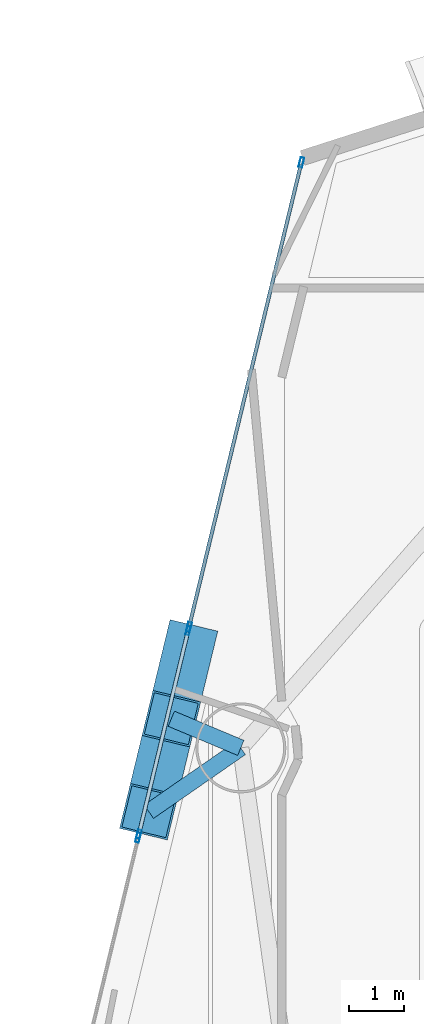
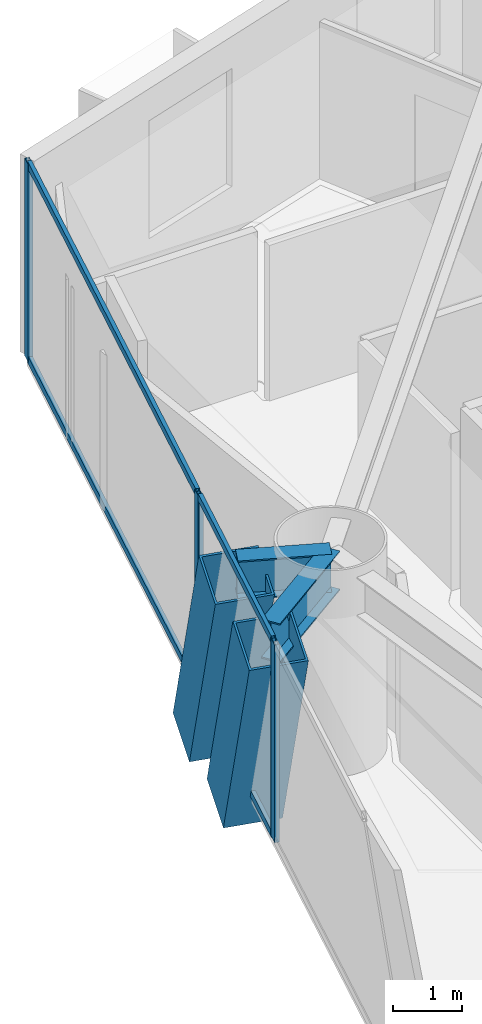
# One storey, part 7 of 23: 11 members, 2 beams, 3 elements without a shape of their own.
"""IFC4 building model written with IfcOpenShell, lengths in metres."""

from ifc_helpers import new_model, si_unit, direction, frame, origin, origin_2d, place, context, subcontext, project, spatial, hollow_rectangle, i_section, extrude, material, layer, layer_set, material_profile, profile_set, type_object, element, aggregate, save


model = new_model("IFC4")

# Units and contexts
model_context = context("Model", 3, precision=1e-05, world=origin(), true_north=direction((0.0, 1.0)))
body_context = subcontext(model_context, "Body", "Model", "MODEL_VIEW")
ifc_project = project(units=[si_unit("LENGTHUNIT", "METRE"), si_unit("AREAUNIT", "SQUARE_METRE"), si_unit("VOLUMEUNIT", "CUBIC_METRE"), si_unit("PLANEANGLEUNIT", "RADIAN"), si_unit("MASSUNIT", "GRAM", prefix="KILO")], contexts=[model_context])

# Site, building, storey
site_placement = place(None, origin())
site = spatial("IfcSite", under=ifc_project, at=site_placement, CompositionType="ELEMENT")
building_placement = place(site_placement, origin())
building = spatial("IfcBuilding", under=site, at=building_placement, Name="Qianvela Tower", CompositionType="ELEMENT")
storey_placement = place(building_placement, frame((0.0, 0.0, 85.800048828125)))
storey = spatial("IfcBuildingStorey", under=building, at=storey_placement, Name="L21", CompositionType="ELEMENT", Elevation=85.800048828125)

# Beams
ifc_material_1 = material(Name="Steel Q355B", Category="steel")
ifc_material_profile_1 = material_profile(ifc_material_1, i_section(OverallWidth=0.300048828125, OverallDepth=0.699951171875, WebThickness=0.012939453125, FlangeThickness=0.02392578125, at=origin_2d()), Name="HN700x300x13x24")
ifc_profile_set_1 = profile_set([ifc_material_profile_1], Name="Steel Q355B")
beam_type = type_object("IfcBeamType", Name="BM-HN700-SPAND", PredefinedType="SPANDREL", material=ifc_profile_set_1)
beam_1_placement = place(storey_placement, frame((22.8291015625, 30.340087890625, 3.16796875), z_axis=(-0.922074278283, 0.387012952404, 0.0), x_axis=(-0.387012952404, -0.922074278283, 0.0)))
element("IfcBeam", 1, at=beam_1_placement, inside=storey, type_object=beam_type, Name="L21 Mega-Brace Column Tie Bracket F2-1", PredefinedType="SPANDREL", context=body_context, shape_type="SweptSolid", body=[
    extrude(i_section(OverallWidth=0.300048828125, OverallDepth=0.699951171875, WebThickness=0.012939453125, FlangeThickness=0.02392578125, at=origin_2d()), origin(), (0.0, 0.0, 1.0), 1.38037109375),
])
beam_2_placement = place(storey_placement, frame((22.8291015625, 30.340087890625, 3.16796875), z_axis=(-0.821557387907, -0.570125826792, 0.0), x_axis=(0.570125826792, -0.821557387907, 0.0)))
element("IfcBeam", 2, at=beam_2_placement, inside=storey, type_object=beam_type, Name="L21 Mega-Brace Column Tie Bracket F2-2", PredefinedType="SPANDREL", context=body_context, shape_type="SweptSolid", body=[
    extrude(i_section(OverallWidth=0.300048828125, OverallDepth=0.699951171875, WebThickness=0.012939453125, FlangeThickness=0.02392578125, at=origin_2d()), origin(), (0.0, 0.0, 1.0), 2.05078125),
])

# Curtain wall, members
ifc_material_2 = material(Name="Anodised Architectural Aluminium and Insulated Spandrel Panel", Category="aluminium")
ifc_layer_1 = layer(ifc_material_2, 0.179931640625)
ifc_layer_set_1 = layer_set([ifc_layer_1], Name="Anodised Architectural Aluminium and Insulated Spandrel Panel")
curtain_wall_type_1 = type_object("IfcCurtainWallType", Name="CW-BRACEBAY", PredefinedType="USERDEFINED", material=ifc_layer_set_1)
curtain_wall_1_placement = place(storey_placement, origin())
curtain_wall_1 = element("IfcCurtainWall", 3, at=curtain_wall_1_placement, inside=storey, type_object=curtain_wall_type_1, Name="L21 CW-BRACEBAY Curtain Wall 04B", ObjectType="CURTAIN_WALL_SYSTEM", PredefinedType="USERDEFINED")
ifc_material_3 = material(Name="Anodised Architectural Aluminium 6063-T6", Category="aluminium")
ifc_material_profile_2 = material_profile(ifc_material_3, hollow_rectangle(XDim=0.06494140625, YDim=0.159912109375, WallThickness=0.0048828125, at=origin_2d()), Name="ALU-MULL-65x160")
ifc_profile_set_2 = profile_set([ifc_material_profile_2], Name="Anodised Architectural Aluminium 6063-T6")
member_type_1 = type_object("IfcMemberType", Name="CW-BRACEBAY-MULL", PredefinedType="MULLION", material=ifc_profile_set_2)
member_1_placement = place(storey_placement, frame((21.86474609375, 32.488525390625, 0.0), z_axis=(0.0, 0.0, 1.0), x_axis=(0.97196491767, -0.235125921195, 0.0)))
member_1 = element("IfcMember", 4, at=member_1_placement, type_object=member_type_1, Name="CW-9 mullion 1", PredefinedType="MULLION", context=body_context, shape_type="SweptSolid", body=[
    extrude(hollow_rectangle(XDim=0.06494140625, YDim=0.159912109375, WallThickness=0.0048828125, at=origin_2d()), origin(), (0.0, 0.0, 1.0), 3.52001953125),
])
member_2_placement = place(storey_placement, frame((20.962890625, 28.760986328125, 0.0), z_axis=(0.0, 0.0, 1.0), x_axis=(0.97196491767, -0.235125921195, 0.0)))
member_2 = element("IfcMember", 5, at=member_2_placement, type_object=member_type_1, Name="CW-9 mullion 2", PredefinedType="MULLION", context=body_context, shape_type="SweptSolid", body=[
    extrude(hollow_rectangle(XDim=0.06494140625, YDim=0.159912109375, WallThickness=0.0048828125, at=origin_2d()), origin(), (0.0, 0.0, 1.0), 3.52001953125),
])
ifc_material_4 = material(Name="Anodised Architectural Aluminium 6063-T6", Category="aluminium")
ifc_material_profile_3 = material_profile(ifc_material_4, hollow_rectangle(XDim=0.06494140625, YDim=0.1298828125, WallThickness=0.00439453125, at=origin_2d()), Name="ALU-TRAN-65x130")
ifc_profile_set_3 = profile_set([ifc_material_profile_3], Name="Anodised Architectural Aluminium 6063-T6")
member_type_2 = type_object("IfcMemberType", Name="CW-BRACEBAY-TRAN", PredefinedType="USERDEFINED", material=ifc_profile_set_3)
member_3_placement = place(storey_placement, frame((21.85693359375, 32.45703125, 0.032470703125), z_axis=(-0.235077309207, -0.971976676004, 0.0), x_axis=(0.971976676004, -0.235077309207, 0.0)))
member_3 = element("IfcMember", 6, at=member_3_placement, type_object=member_type_2, Name="CW-9 transom 1.1", ObjectType="TRANSOM", PredefinedType="USERDEFINED", context=body_context, shape_type="SweptSolid", body=[
    extrude(hollow_rectangle(XDim=0.06494140625, YDim=0.1298828125, WallThickness=0.00439453125, at=origin_2d()), origin(), (0.0, 0.0, 1.0), 3.77001953125),
])
member_4_placement = place(storey_placement, frame((21.85693359375, 32.45703125, 3.487548828125), z_axis=(-0.235077309207, -0.971976676004, 0.0), x_axis=(0.971976676004, -0.235077309207, 0.0)))
member_4 = element("IfcMember", 7, at=member_4_placement, type_object=member_type_2, Name="CW-9 transom 1.2", ObjectType="TRANSOM", PredefinedType="USERDEFINED", context=body_context, shape_type="SweptSolid", body=[
    extrude(hollow_rectangle(XDim=0.06494140625, YDim=0.1298828125, WallThickness=0.00439453125, at=origin_2d()), origin(), (0.0, 0.0, 1.0), 3.77001953125),
])
aggregate(curtain_wall_1, [member_1, member_2, member_3, member_4])

ifc_material_5 = material(Name="Anodised Architectural Aluminium and Low-E Glass", Category="aluminium")
ifc_layer_2 = layer(ifc_material_5, 0.179931640625)
ifc_layer_set_2 = layer_set([ifc_layer_2], Name="Anodised Architectural Aluminium and Low-E Glass")
curtain_wall_type_2 = type_object("IfcCurtainWallType", Name="CW-COLIV-Z12", PredefinedType="USERDEFINED", material=ifc_layer_set_2)
curtain_wall_2_placement = place(storey_placement, origin())
curtain_wall_2 = element("IfcCurtainWall", 8, at=curtain_wall_2_placement, inside=storey, type_object=curtain_wall_type_2, Name="L21 CW-COLIV-Z12 Curtain Wall 04A", ObjectType="CURTAIN_WALL_SYSTEM", PredefinedType="USERDEFINED")
ifc_material_6 = material(Name="Anodised Architectural Aluminium 6063-T6", Category="aluminium")
ifc_material_profile_4 = material_profile(ifc_material_6, hollow_rectangle(XDim=0.070068359375, YDim=0.179931640625, WallThickness=0.0048828125, at=origin_2d()), Name="ALU-MULL-70x180")
ifc_profile_set_4 = profile_set([ifc_material_profile_4], Name="Anodised Architectural Aluminium 6063-T6")
member_type_3 = type_object("IfcMemberType", Name="CW-COLIV-Z12-MULL", PredefinedType="MULLION", material=ifc_profile_set_4)
member_5_placement = place(storey_placement, frame((23.9404296875, 41.068603515625, 0.0), z_axis=(0.0, 0.0, 1.0), x_axis=(0.971961028432, -0.235141997968, 0.0)))
member_5 = element("IfcMember", 9, at=member_5_placement, type_object=member_type_3, Name="CW-3 mullion 1", PredefinedType="MULLION", context=body_context, shape_type="SweptSolid", body=[
    extrude(hollow_rectangle(XDim=0.070068359375, YDim=0.179931640625, WallThickness=0.0048828125, at=origin_2d()), origin(), (0.0, 0.0, 1.0), 3.52001953125),
])
member_6_placement = place(storey_placement, frame((21.880615234375, 32.55419921875, 0.0), z_axis=(0.0, 0.0, 1.0), x_axis=(0.971961028432, -0.235141997968, 0.0)))
member_6 = element("IfcMember", 10, at=member_6_placement, type_object=member_type_3, Name="CW-3 mullion 2", PredefinedType="MULLION", context=body_context, shape_type="SweptSolid", body=[
    extrude(hollow_rectangle(XDim=0.070068359375, YDim=0.179931640625, WallThickness=0.0048828125, at=origin_2d()), origin(), (0.0, 0.0, 1.0), 3.52001953125),
])

# Curtain wall, member
curtain_wall_3_placement = place(storey_placement, origin())
curtain_wall_3 = element("IfcCurtainWall", 11, at=curtain_wall_3_placement, inside=storey, type_object=curtain_wall_type_2, Name="L21 CW-COLIV-Z12 Curtain Wall 04C", ObjectType="CURTAIN_WALL_SYSTEM", PredefinedType="USERDEFINED")
member_7_placement = place(storey_placement, frame((20.947021484375, 28.695556640625, 0.0), z_axis=(0.0, 0.0, 1.0), x_axis=(0.971961901314, -0.235138389877, 0.0)))
member_7 = element("IfcMember", 12, at=member_7_placement, type_object=member_type_3, Name="CW-3 mullion 1", PredefinedType="MULLION", context=body_context, shape_type="SweptSolid", body=[
    extrude(hollow_rectangle(XDim=0.070068359375, YDim=0.179931640625, WallThickness=0.0048828125, at=origin_2d()), origin(), (0.0, 0.0, 1.0), 3.52001953125),
])
aggregate(curtain_wall_3, [member_7])

# Member
ifc_material_7 = material(Name="Anodised Architectural Aluminium 6063-T6", Category="aluminium")
ifc_material_profile_5 = material_profile(ifc_material_7, hollow_rectangle(XDim=0.06494140625, YDim=0.1298828125, WallThickness=0.00439453125, at=origin_2d()), Name="ALU-TRAN-65x130")
ifc_profile_set_5 = profile_set([ifc_material_profile_5], Name="Anodised Architectural Aluminium 6063-T6")
member_type_4 = type_object("IfcMemberType", Name="CW-COLIV-Z12-TRAN", PredefinedType="USERDEFINED", material=ifc_profile_set_5)
member_8_placement = place(storey_placement, frame((23.93212890625, 41.03466796875, 0.032470703125), z_axis=(-0.235144895256, -0.971960327501, 0.0), x_axis=(0.971960327501, -0.235144895256, 0.0)))
member_8 = element("IfcMember", 13, at=member_8_placement, type_object=member_type_4, Name="CW-3 transom 1.1", ObjectType="TRANSOM", PredefinedType="USERDEFINED", context=body_context, shape_type="SweptSolid", body=[
    extrude(hollow_rectangle(XDim=0.06494140625, YDim=0.1298828125, WallThickness=0.00439453125, at=origin_2d()), origin(), (0.0, 0.0, 1.0), 8.690185546875),
])

member_9_placement = place(storey_placement, frame((23.93212890625, 41.03466796875, 3.487548828125), z_axis=(-0.235144895256, -0.971960327501, 0.0), x_axis=(0.971960327501, -0.235144895256, 0.0)))
member_9 = element("IfcMember", 14, at=member_9_placement, type_object=member_type_4, Name="CW-3 transom 1.2", ObjectType="TRANSOM", PredefinedType="USERDEFINED", context=body_context, shape_type="SweptSolid", body=[
    extrude(hollow_rectangle(XDim=0.06494140625, YDim=0.1298828125, WallThickness=0.00439453125, at=origin_2d()), origin(), (0.0, 0.0, 1.0), 8.690185546875),
])

aggregate(curtain_wall_2, [member_5, member_6, member_8, member_9])

# Members
ifc_material_8 = material(Name="Steel Q420GJC", Category="steel")
ifc_material_profile_6 = material_profile(ifc_material_8, hollow_rectangle(XDim=0.89990234375, YDim=0.89990234375, WallThickness=0.035888671875, at=origin_2d()), Name="MBOX-900x900x36")
ifc_profile_set_6 = profile_set([ifc_material_profile_6], Name="Steel Q420GJC")
member_type_5 = type_object("IfcMemberType", Name="MBR-MBRACE-900", PredefinedType="BRACE", material=ifc_profile_set_6)
member_10_placement = place(storey_placement, frame((21.87060546875, 32.172607421875, -0.531982421875), z_axis=(-0.079876047875, -0.330055029213, 0.940576150382), x_axis=(0.971942601855, -0.235218151295, 0.0)))
element("IfcMember", 15, at=member_10_placement, inside=storey, type_object=member_type_5, Name="L21 Tier 3 Exterior Mega-Brace F2A", PredefinedType="BRACE", context=body_context, shape_type="SweptSolid", body=[
    extrude(hollow_rectangle(XDim=0.89990234375, YDim=0.89990234375, WallThickness=0.035888671875, at=origin_2d()), origin(), (0.0, 0.0, 1.0), 3.93359375),
])
member_11_placement = place(storey_placement, frame((21.45849609375, 30.469482421875, -0.531982421875), z_axis=(-0.079874411554, -0.330110330269, 0.940556881974), x_axis=(0.971952711089, -0.235176375103, 0.0)))
element("IfcMember", 16, at=member_11_placement, inside=storey, type_object=member_type_5, Name="L21 Tier 3 Exterior Mega-Brace F2B", PredefinedType="BRACE", context=body_context, shape_type="SweptSolid", body=[
    extrude(hollow_rectangle(XDim=0.89990234375, YDim=0.89990234375, WallThickness=0.035888671875, at=origin_2d()), origin(), (0.0, 0.0, 1.0), 3.933837890625),
])

save(model, "model.ifc")
